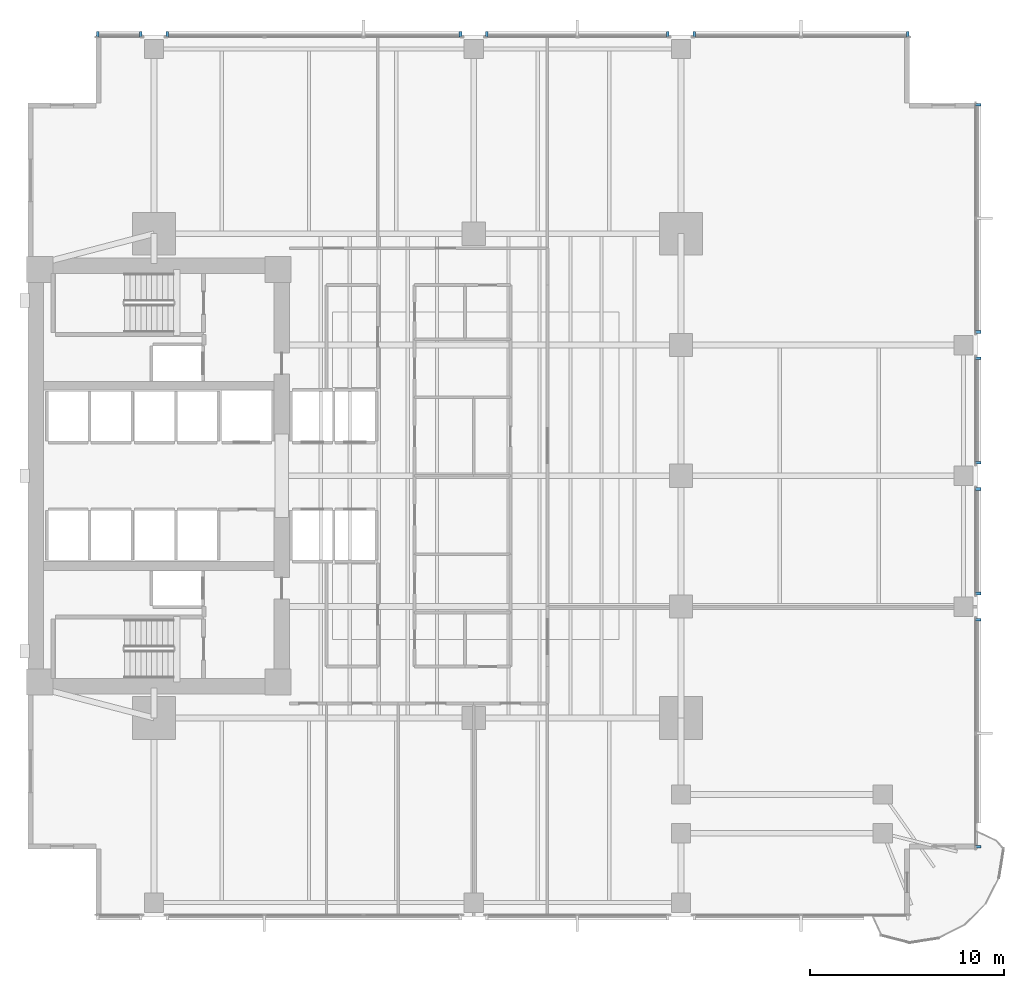
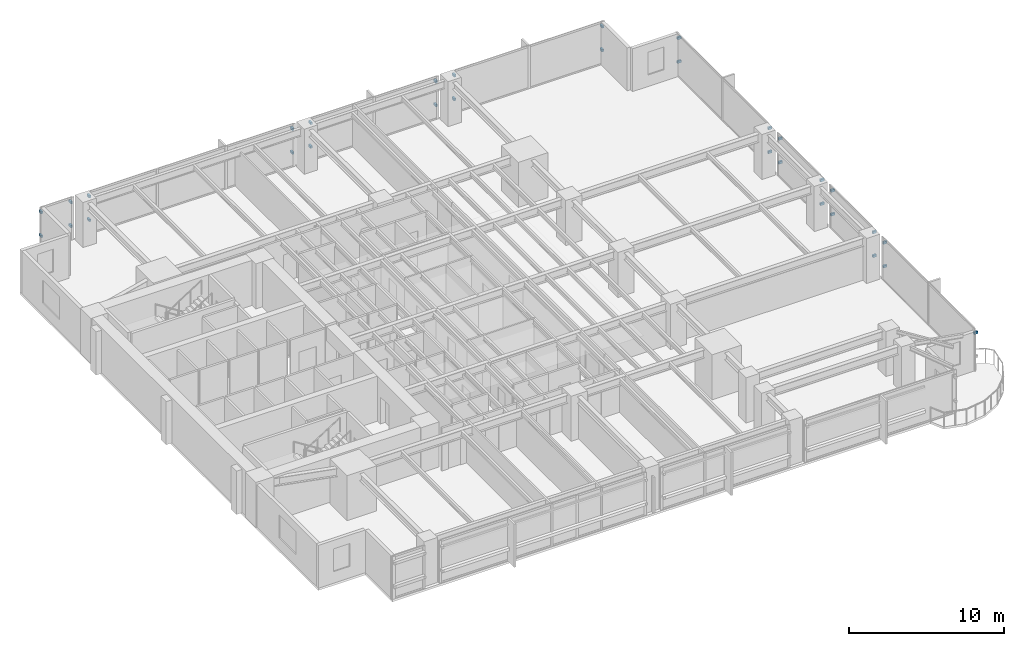
# One storey, part 11 of 15: 31 discrete accessories.
"""IFC4 building model written with IfcOpenShell, lengths in metres."""

from ifc_helpers import new_model, si_unit, direction, frame, origin, origin_2d, place, context, subcontext, project, spatial, rectangle, extrude, material, type_object, element, save


model = new_model("IFC4")

# Units and contexts
model_context = context("Model", 3, precision=1e-05, world=origin(), true_north=direction((0.0, 1.0)))
body_context = subcontext(model_context, "Body", "Model", "MODEL_VIEW")
ifc_project = project(units=[si_unit("LENGTHUNIT", "METRE"), si_unit("AREAUNIT", "SQUARE_METRE"), si_unit("VOLUMEUNIT", "CUBIC_METRE"), si_unit("PLANEANGLEUNIT", "RADIAN"), si_unit("MASSUNIT", "GRAM", prefix="KILO")], contexts=[model_context])

# Site, building, storey
site_placement = place(None, origin())
site = spatial("IfcSite", under=ifc_project, at=site_placement, CompositionType="ELEMENT")
building_placement = place(site_placement, origin())
building = spatial("IfcBuilding", under=site, at=building_placement, Name="Kinhvarn Gate Tower", CompositionType="ELEMENT")
storey_placement = place(building_placement, frame((0.0, 0.0, 85.949951171875)))
storey = spatial("IfcBuildingStorey", under=building, at=storey_placement, Name="L22", CompositionType="ELEMENT", Elevation=85.949951171875)

# Discrete accessories
ifc_material = material(Name="Anodised aluminium AW-6063", Category="aluminium")
discrete_accessory_type = type_object("IfcDiscreteAccessoryType", Name="ACC-BRK-01", PredefinedType="BRACKET", material=ifc_material)
for number, where, z_axis, x_axis, name in (
    (1, (49.89990234375, 48.0400390625, 0.9599609375), (0.0, 0.0, 1.0), (-1.0, 0.0, 0.0), "Baguette Support Bracket BK-01 (L22)"),
    (2, (49.89990234375, 48.0400390625, 2.830078125), (0.0, 0.0, 1.0), (-1.0, 0.0, 0.0), "Baguette Support Bracket BK-01 (L22)"),
    (3, (38.8798828125, 48.0400390625, 0.9599609375), (0.0, 0.0, 1.0), (-1.0, 0.0, 0.0), "Baguette Support Bracket BK-01 (L22)"),
    (4, (38.8798828125, 48.0400390625, 2.830078125), (0.0, 0.0, 1.0), (-1.0, 0.0, 0.0), "Baguette Support Bracket BK-01 (L22)"),
    (5, (37.52001953125, 48.0400390625, 0.9599609375), (0.0, 0.0, 1.0), (-1.0, 0.0, 0.0), "Baguette Support Bracket BK-01 (L22)"),
    (6, (37.52001953125, 48.0400390625, 2.830078125), (0.0, 0.0, 1.0), (-1.0, 0.0, 0.0), "Baguette Support Bracket BK-01 (L22)"),
    (7, (28.179931640625, 48.0400390625, 0.9599609375), (0.0, 0.0, 1.0), (-1.0, 0.0, 0.0), "Baguette Support Bracket BK-01 (L22)"),
    (8, (28.179931640625, 48.0400390625, 2.830078125), (0.0, 0.0, 1.0), (-1.0, 0.0, 0.0), "Baguette Support Bracket BK-01 (L22)"),
    (9, (26.820068359375, 48.0400390625, 0.9599609375), (0.0, 0.0, 1.0), (-1.0, 0.0, 0.0), "Baguette Support Bracket BK-01 (L22)"),
    (10, (26.820068359375, 48.0400390625, 2.830078125), (0.0, 0.0, 1.0), (-1.0, 0.0, 0.0), "Baguette Support Bracket BK-01 (L22)"),
    (11, (11.679931640625, 48.0400390625, 0.9599609375), (0.0, 0.0, 1.0), (-1.0, 0.0, 0.0), "Baguette Support Bracket BK-01 (L22)"),
    (12, (11.679931640625, 48.0400390625, 2.830078125), (0.0, 0.0, 1.0), (-1.0, 0.0, 0.0), "Baguette Support Bracket BK-01 (L22)"),
    (13, (10.320068359375, 48.0400390625, 0.9599609375), (0.0, 0.0, 1.0), (-1.0, 0.0, 0.0), "Baguette Support Bracket BK-01 (L22)"),
    (14, (10.320068359375, 48.0400390625, 2.830078125), (0.0, 0.0, 1.0), (-1.0, 0.0, 0.0), "Baguette Support Bracket BK-01 (L22)"),
    (15, (8.10009765625, 48.0400390625, 0.9599609375), (0.0, 0.0, 1.0), (-1.0, 0.0, 0.0), "Baguette Support Bracket BK-01 (L22)"),
    (16, (8.10009765625, 48.0400390625, 2.830078125), (0.0, 0.0, 1.0), (-1.0, 0.0, 0.0), "Baguette Support Bracket BK-01 (L22)"),
    (17, (53.5400390625, 6.10009765625, 2.830078125), (0.0, 0.0, 1.0), (0.0, 1.0, 0.0), "Baguette Support Bracket BK-01 (L22)"),
    (18, (53.5400390625, 17.820068359375, 0.9599609375), (0.0, 0.0, 1.0), (0.0, 1.0, 0.0), "Baguette Support Bracket BK-01 (L22)"),
    (19, (53.5400390625, 17.820068359375, 2.830078125), (0.0, 0.0, 1.0), (0.0, 1.0, 0.0), "Baguette Support Bracket BK-01 (L22)"),
    (20, (53.5400390625, 19.179931640625, 0.9599609375), (0.0, 0.0, 1.0), (0.0, 1.0, 0.0), "Baguette Support Bracket BK-01 (L22)"),
    (21, (53.5400390625, 19.179931640625, 2.830078125), (0.0, 0.0, 1.0), (0.0, 1.0, 0.0), "Baguette Support Bracket BK-01 (L22)"),
    (22, (53.5400390625, 24.570068359375, 0.9599609375), (0.0, 0.0, 1.0), (0.0, 1.0, 0.0), "Baguette Support Bracket BK-01 (L22)"),
    (23, (53.5400390625, 24.570068359375, 2.830078125), (0.0, 0.0, 1.0), (0.0, 1.0, 0.0), "Baguette Support Bracket BK-01 (L22)"),
    (24, (53.5400390625, 25.929931640625, 0.9599609375), (0.0, 0.0, 1.0), (0.0, 1.0, 0.0), "Baguette Support Bracket BK-01 (L22)"),
    (25, (53.5400390625, 25.929931640625, 2.830078125), (0.0, 0.0, 1.0), (0.0, 1.0, 0.0), "Baguette Support Bracket BK-01 (L22)"),
    (26, (53.5400390625, 31.320068359375, 0.9599609375), (0.0, 0.0, 1.0), (0.0, 1.0, 0.0), "Baguette Support Bracket BK-01 (L22)"),
    (27, (53.5400390625, 31.320068359375, 2.830078125), (0.0, 0.0, 1.0), (0.0, 1.0, 0.0), "Baguette Support Bracket BK-01 (L22)"),
    (28, (53.5400390625, 32.679931640625, 0.9599609375), (0.0, 0.0, 1.0), (0.0, 1.0, 0.0), "Baguette Support Bracket BK-01 (L22)"),
    (29, (53.5400390625, 32.679931640625, 2.830078125), (0.0, 0.0, 1.0), (0.0, 1.0, 0.0), "Baguette Support Bracket BK-01 (L22)"),
    (30, (53.5400390625, 44.39990234375, 0.9599609375), (0.0, 0.0, 1.0), (0.0, 1.0, 0.0), "Baguette Support Bracket BK-01 (L22)"),
    (31, (53.5400390625, 44.39990234375, 2.830078125), (0.0, 0.0, 1.0), (0.0, 1.0, 0.0), "Baguette Support Bracket BK-01 (L22)"),
):
    element("IfcDiscreteAccessory", number, at=place(storey_placement, frame(where, z_axis=z_axis, x_axis=x_axis)), inside=storey, type_object=discrete_accessory_type, Name=name, PredefinedType="BRACKET", context=body_context, shape_type="SweptSolid", body=[
        extrude(rectangle(XDim=0.139892578125, YDim=0.280029296875, at=origin_2d()), origin(), (0.0, 0.0, 1.0), 0.179931640625),
    ])

save(model, "model.ifc")
